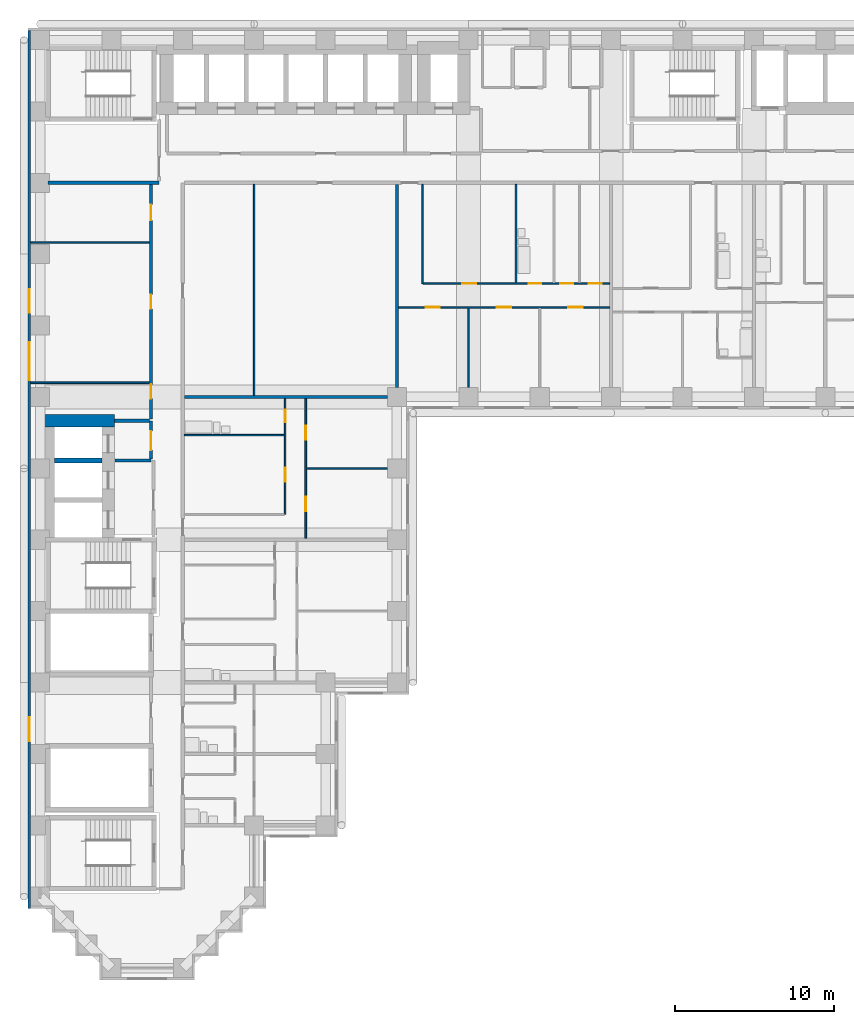
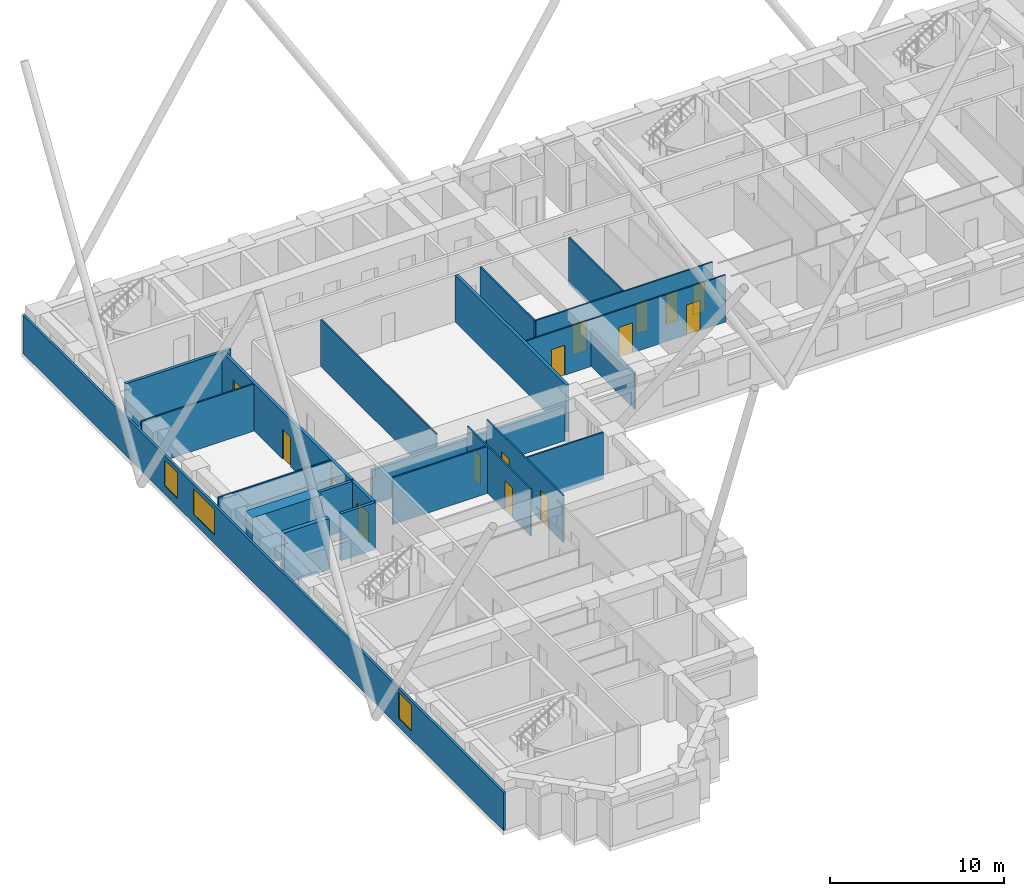
# One storey, part 5 of 13: 22 walls, 15 doors, 3 windows, 18 openings.
"""IFC4 building model written with IfcOpenShell, lengths in metres."""

from ifc_helpers import new_model, si_unit, direction, frame, frame_2d, origin, place, context, subcontext, project, spatial, rectangle, extrude, material, layer, layer_set, type_object, element, fill, save


model = new_model("IFC4")

# Units and contexts
model_context = context("Model", 3, precision=1e-05, world=origin(), true_north=direction((0.0, 1.0)))
body_context = subcontext(model_context, "Body", "Model", "MODEL_VIEW")
ifc_project = project(units=[si_unit("LENGTHUNIT", "METRE"), si_unit("AREAUNIT", "SQUARE_METRE"), si_unit("VOLUMEUNIT", "CUBIC_METRE"), si_unit("PLANEANGLEUNIT", "RADIAN"), si_unit("MASSUNIT", "GRAM", prefix="KILO")], contexts=[model_context])

# Site, building, storey
site_placement = place(None, origin())
site = spatial("IfcSite", under=ifc_project, at=site_placement, CompositionType="ELEMENT")
building_placement = place(site_placement, origin())
building = spatial("IfcBuilding", under=site, at=building_placement, Name="Firuza Court", CompositionType="ELEMENT")
storey_placement = place(building_placement, frame((0.0, 0.0, 72.199951171875)))
storey = spatial("IfcBuildingStorey", under=building, at=storey_placement, Name="L17", CompositionType="ELEMENT", Elevation=72.199951171875)

# Walls
ifc_material_1 = material(Name="Moisture-resistant gypsum board partition")
ifc_layer_1 = layer(ifc_material_1, 0.10009765625)
ifc_layer_set_1 = layer_set([ifc_layer_1], Name="Moisture-resistant gypsum board partition")
wall_type_1 = type_object("IfcWallType", Name="Bathroom partition 100", PredefinedType="PLUMBINGWALL", material=ifc_layer_set_1)
wall_1_placement = place(storey_placement, frame((9.10009765625, 33.60009765625, 0.0), z_axis=(0.0, 0.0, 1.0), x_axis=(1.0, 0.0, 0.0)))
element("IfcWall", 1, at=wall_1_placement, inside=storey, type_object=wall_type_1, Name="Bathroom partition 100 L17", PredefinedType="PLUMBINGWALL", context=body_context, shape_type="SweptSolid", body=[
    extrude(rectangle(XDim=6.2998046875, YDim=0.10009765625, at=frame_2d((3.14990234375, 0.0))), origin(), (0.0, 0.0, 1.0), 3.300048828125),
])
wall_2_placement = place(storey_placement, frame((30.0, 43.199951171875, 0.0), z_axis=(0.0, 0.0, 1.0), x_axis=(0.0, 1.0, 0.0)))
element("IfcWall", 2, at=wall_2_placement, inside=storey, type_object=wall_type_1, Name="Bathroom partition 100 L17", PredefinedType="PLUMBINGWALL", context=body_context, shape_type="SweptSolid", body=[
    extrude(rectangle(XDim=6.199951171875, YDim=0.10009765625, at=frame_2d((3.10009765625, 0.0))), origin(), (0.0, 0.0, 1.0), 3.300048828125),
])
ifc_material_2 = material(Name="Concrete C60/75", Category="concrete")
ifc_layer_2 = layer(ifc_material_2, 0.300048828125)
ifc_layer_set_2 = layer_set([ifc_layer_2], Name="Concrete C60/75")
wall_type_2 = type_object("IfcWallType", Name="Core wall 300 C60/75", PredefinedType="SHEAR", material=ifc_layer_set_2)
wall_3_placement = place(storey_placement, frame((0.89990234375, 32.0, -0.300048828125), z_axis=(0.0, 0.0, 1.0), x_axis=(1.0, 0.0, 0.0)))
element("IfcWall", 3, at=wall_3_placement, inside=storey, type_object=wall_type_2, Name="Core wall lift shaft L17", PredefinedType="SHEAR", context=body_context, shape_type="SweptSolid", body=[
    extrude(rectangle(XDim=3.0, YDim=0.300048828125, at=frame_2d((1.5, 0.0))), origin(), (0.0, 0.0, 1.0), 3.60009765625),
])
ifc_layer_3 = layer(ifc_material_2, 0.800048828125)
ifc_layer_set_3 = layer_set([ifc_layer_3], Name="Concrete C60/75")
wall_type_3 = type_object("IfcWallType", Name="Core wall 800 C60/75", PredefinedType="SHEAR", material=ifc_layer_set_3)
wall_4_placement = place(storey_placement, frame((0.10009765625, 34.5, -0.300048828125), z_axis=(0.0, 0.0, 1.0), x_axis=(1.0, 0.0, 0.0)))
element("IfcWall", 4, at=wall_4_placement, inside=storey, type_object=wall_type_3, Name="Core wall lift shaft L17", PredefinedType="SHEAR", context=body_context, shape_type="SweptSolid", body=[
    extrude(rectangle(XDim=4.599853515625, YDim=0.800048828125, at=frame_2d((2.2998046875, 0.0))), origin(), (0.0, 0.0, 1.0), 3.60009765625),
])

# Wall, openings, doors
ifc_material_3 = material(Name="Blockwork, plastered both sides", Category="masonry")
ifc_layer_4 = layer(ifc_material_3, 0.199951171875)
ifc_layer_set_4 = layer_set([ifc_layer_4], Name="Blockwork, plastered both sides")
wall_type_4 = type_object("IfcWallType", Name="Corridor wall 200", PredefinedType="PARTITIONING", material=ifc_layer_set_4)
wall_5_placement = place(storey_placement, frame((7.0, 34.60009765625, 0.0), z_axis=(0.0, 0.0, 1.0), x_axis=(0.0, 1.0, 0.0)))
wall_5 = element("IfcWall", 5, at=wall_5_placement, inside=storey, type_object=wall_type_4, Name="Corridor wall 200 L17", PredefinedType="PARTITIONING", context=body_context, shape_type="SweptSolid", body=[
    extrude(rectangle(XDim=14.7998046875, YDim=0.199951171875, at=frame_2d((7.39990234375, 0.0))), origin(), (0.0, 0.0, 1.0), 3.300048828125),
])
opening_1_placement = place(wall_5_placement, frame((1.300048828125, 0.0, 0.0)))
opening_1 = element("IfcOpeningElement", 6, at=opening_1_placement, cuts=wall_5, Name="Opening D17041", PredefinedType="OPENING", context=body_context, shape_type="SweptSolid", body=[
    extrude(rectangle(XDim=0.89990234375, YDim=2.10009765625, at=frame_2d((0.449951171875, 1.050048828125))), frame((0.0, 0.11181640625, 0.0), z_axis=(0.0, -1.0, 0.0), x_axis=(1.0, 0.0, 0.0)), (0.0, 0.0, 1.0), 0.223876953125),
])
opening_2_placement = place(wall_5_placement, frame((6.949951171875, 0.0, 0.0)))
opening_2 = element("IfcOpeningElement", 7, at=opening_2_placement, cuts=wall_5, Name="Opening D17042", PredefinedType="OPENING", context=body_context, shape_type="SweptSolid", body=[
    extrude(rectangle(XDim=0.89990234375, YDim=2.10009765625, at=frame_2d((0.449951171875, 1.050048828125))), frame((0.0, 0.11181640625, 0.0), z_axis=(0.0, -1.0, 0.0), x_axis=(1.0, 0.0, 0.0)), (0.0, 0.0, 1.0), 0.223876953125),
])
opening_3_placement = place(wall_5_placement, frame((12.52490234375, 0.0, 0.0)))
opening_3 = element("IfcOpeningElement", 8, at=opening_3_placement, cuts=wall_5, Name="Opening D17043", PredefinedType="OPENING", context=body_context, shape_type="SweptSolid", body=[
    extrude(rectangle(XDim=1.0, YDim=2.10009765625, at=frame_2d((0.5, 1.050048828125))), frame((0.0, 0.11181640625, 0.0), z_axis=(0.0, -1.0, 0.0), x_axis=(1.0, 0.0, 0.0)), (0.0, 0.0, 1.0), 0.223876953125),
])
ifc_material_4 = material(Name="Timber door leaf in hardwood frame", Category="wood")
door_type_1 = type_object("IfcDoorType", Name="Room door 900 EI 30", OperationType="SINGLE_SWING_LEFT", PredefinedType="DOOR", material=ifc_material_4)
door_1_placement = place(opening_1_placement, origin())
door_1 = element("IfcDoor", 9, at=door_1_placement, inside=storey, type_object=door_type_1, Name="Meeting room door", OperationType="SINGLE_SWING_LEFT", OverallHeight=2.10009765625, OverallWidth=0.89990234375, PredefinedType="DOOR", context=body_context, shape_type="SweptSolid", body=[
    extrude(rectangle(XDim=0.89990234375, YDim=2.10009765625, at=frame_2d((0.449951171875, 1.050048828125))), frame((0.0, 0.02490234375, 0.0), z_axis=(0.0, -1.0, 0.0), x_axis=(1.0, 0.0, 0.0)), (0.0, 0.0, 1.0), 0.050048828125),
])
fill(opening_1, door_1)
door_2_placement = place(opening_2_placement, origin())
door_2 = element("IfcDoor", 10, at=door_2_placement, inside=storey, type_object=door_type_1, Name="Meeting room door", OperationType="SINGLE_SWING_LEFT", OverallHeight=2.10009765625, OverallWidth=0.89990234375, PredefinedType="DOOR", context=body_context, shape_type="SweptSolid", body=[
    extrude(rectangle(XDim=0.89990234375, YDim=2.10009765625, at=frame_2d((0.449951171875, 1.050048828125))), frame((0.0, 0.02490234375, 0.0), z_axis=(0.0, -1.0, 0.0), x_axis=(1.0, 0.0, 0.0)), (0.0, 0.0, 1.0), 0.050048828125),
])
fill(opening_2, door_2)
ifc_material_5 = material(Name="Timber door leaf in hardwood frame", Category="wood")
door_type_2 = type_object("IfcDoorType", Name="Store door 1000", OperationType="SINGLE_SWING_LEFT", PredefinedType="DOOR", material=ifc_material_5)
door_3_placement = place(opening_3_placement, origin())
door_3 = element("IfcDoor", 11, at=door_3_placement, inside=storey, type_object=door_type_2, Name="Comms room door", OperationType="SINGLE_SWING_LEFT", OverallHeight=2.10009765625, OverallWidth=1.0, PredefinedType="DOOR", context=body_context, shape_type="SweptSolid", body=[
    extrude(rectangle(XDim=1.0, YDim=2.10009765625, at=frame_2d((0.5, 1.050048828125))), frame((0.0, 0.02490234375, 0.0), z_axis=(0.0, -1.0, 0.0), x_axis=(1.0, 0.0, 0.0)), (0.0, 0.0, 1.0), 0.050048828125),
])
fill(opening_3, door_3)

ifc_material_6 = material(Name="Timber stud partition, plasterboard both sides", Category="wood")
ifc_layer_5 = layer(ifc_material_6, 0.10009765625)
ifc_layer_set_5 = layer_set([ifc_layer_5], Name="Timber stud partition, plasterboard both sides")
wall_type_5 = type_object("IfcWallType", Name="Partition wall 100", PredefinedType="PARTITIONING", material=ifc_layer_set_5)
wall_6_placement = place(storey_placement, frame((16.75, 27.10009765625, 0.0), z_axis=(0.0, 0.0, 1.0), x_axis=(0.0, 1.0, 0.0)))
wall_6 = element("IfcWall", 12, at=wall_6_placement, inside=storey, type_object=wall_type_5, Name="Partition wall 100 L17", PredefinedType="PARTITIONING", context=body_context, shape_type="SweptSolid", body=[
    extrude(rectangle(XDim=8.7998046875, YDim=0.10009765625, at=frame_2d((4.39990234375, 0.0))), origin(), (0.0, 0.0, 1.0), 3.300048828125),
])
opening_4_placement = place(wall_6_placement, frame((1.699951171875, 0.0, 0.0)))
opening_4 = element("IfcOpeningElement", 13, at=opening_4_placement, cuts=wall_6, Name="Opening D17037", PredefinedType="OPENING", context=body_context, shape_type="SweptSolid", body=[
    extrude(rectangle(XDim=0.89990234375, YDim=2.10009765625, at=frame_2d((0.449951171875, 1.050048828125))), frame((0.0, 0.06201171875, 0.0), z_axis=(0.0, -1.0, 0.0), x_axis=(1.0, 0.0, 0.0)), (0.0, 0.0, 1.0), 0.1240234375),
])
opening_5_placement = place(wall_6_placement, frame((6.199951171875, 0.0, 0.0)))
opening_5 = element("IfcOpeningElement", 14, at=opening_5_placement, cuts=wall_6, Name="Opening D17038", PredefinedType="OPENING", context=body_context, shape_type="SweptSolid", body=[
    extrude(rectangle(XDim=0.89990234375, YDim=2.10009765625, at=frame_2d((0.449951171875, 1.050048828125))), frame((0.0, 0.06201171875, 0.0), z_axis=(0.0, -1.0, 0.0), x_axis=(1.0, 0.0, 0.0)), (0.0, 0.0, 1.0), 0.1240234375),
])
ifc_material_7 = material(Name="Timber door leaf in hardwood frame", Category="wood")
door_type_3 = type_object("IfcDoorType", Name="Room door 900", OperationType="SINGLE_SWING_LEFT", PredefinedType="DOOR", material=ifc_material_7)
door_4_placement = place(opening_4_placement, frame((0.89990234375, 0.0, 0.0), z_axis=(0.0, 0.0, 1.0), x_axis=(-1.0, 0.0, 0.0)))
door_4 = element("IfcDoor", 15, at=door_4_placement, inside=storey, type_object=door_type_3, Name="Bedroom door", OperationType="SINGLE_SWING_RIGHT", OverallHeight=2.10009765625, OverallWidth=0.89990234375, PredefinedType="DOOR", context=body_context, shape_type="SweptSolid", body=[
    extrude(rectangle(XDim=0.89990234375, YDim=2.10009765625, at=frame_2d((0.449951171875, 1.050048828125))), frame((0.0, 0.02490234375, 0.0), z_axis=(0.0, -1.0, 0.0), x_axis=(1.0, 0.0, 0.0)), (0.0, 0.0, 1.0), 0.050048828125),
])
fill(opening_4, door_4)
door_5_placement = place(opening_5_placement, frame((0.89990234375, 0.0, 0.0), z_axis=(0.0, 0.0, 1.0), x_axis=(-1.0, 0.0, 0.0)))
door_5 = element("IfcDoor", 16, at=door_5_placement, inside=storey, type_object=door_type_3, Name="Living room door", OperationType="SINGLE_SWING_RIGHT", OverallHeight=2.10009765625, OverallWidth=0.89990234375, PredefinedType="DOOR", context=body_context, shape_type="SweptSolid", body=[
    extrude(rectangle(XDim=0.89990234375, YDim=2.10009765625, at=frame_2d((0.449951171875, 1.050048828125))), frame((0.0, 0.02490234375, 0.0), z_axis=(0.0, -1.0, 0.0), x_axis=(1.0, 0.0, 0.0)), (0.0, 0.0, 1.0), 0.050048828125),
])
fill(opening_5, door_5)

wall_7_placement = place(storey_placement, frame((15.449951171875, 28.60009765625, 0.0), z_axis=(0.0, 0.0, 1.0), x_axis=(0.0, 1.0, 0.0)))
wall_7 = element("IfcWall", 17, at=wall_7_placement, inside=storey, type_object=wall_type_5, Name="Partition wall 100 L17", PredefinedType="PARTITIONING", context=body_context, shape_type="SweptSolid", body=[
    extrude(rectangle(XDim=7.2998046875, YDim=0.10009765625, at=frame_2d((3.64990234375, 0.0))), origin(), (0.0, 0.0, 1.0), 3.300048828125),
])
opening_6_placement = place(wall_7_placement, frame((5.800048828125, 0.0, 0.0)))
opening_6 = element("IfcOpeningElement", 18, at=opening_6_placement, cuts=wall_7, Name="Opening D17039", PredefinedType="OPENING", context=body_context, shape_type="SweptSolid", body=[
    extrude(rectangle(XDim=0.800048828125, YDim=2.10009765625, at=frame_2d((0.39990234375, 1.050048828125))), frame((0.0, 0.06201171875, 0.0), z_axis=(0.0, -1.0, 0.0), x_axis=(1.0, 0.0, 0.0)), (0.0, 0.0, 1.0), 0.1240234375),
])
opening_7_placement = place(wall_7_placement, frame((2.050048828125, 0.0, 0.0)))
opening_7 = element("IfcOpeningElement", 19, at=opening_7_placement, cuts=wall_7, Name="Opening D17040", PredefinedType="OPENING", context=body_context, shape_type="SweptSolid", body=[
    extrude(rectangle(XDim=0.89990234375, YDim=2.10009765625, at=frame_2d((0.449951171875, 1.050048828125))), frame((0.0, 0.06201171875, 0.0), z_axis=(0.0, -1.0, 0.0), x_axis=(1.0, 0.0, 0.0)), (0.0, 0.0, 1.0), 0.1240234375),
])
ifc_material_8 = material(Name="Timber door leaf in hardwood frame", Category="wood")
door_type_4 = type_object("IfcDoorType", Name="Bathroom door 800", OperationType="SINGLE_SWING_LEFT", PredefinedType="DOOR", material=ifc_material_8)
door_6_placement = place(opening_6_placement, origin())
door_6 = element("IfcDoor", 20, at=door_6_placement, inside=storey, type_object=door_type_4, Name="Bathroom door", OperationType="SINGLE_SWING_LEFT", OverallHeight=2.10009765625, OverallWidth=0.800048828125, PredefinedType="DOOR", context=body_context, shape_type="SweptSolid", body=[
    extrude(rectangle(XDim=0.800048828125, YDim=2.10009765625, at=frame_2d((0.39990234375, 1.050048828125))), frame((0.0, 0.02490234375, 0.0), z_axis=(0.0, -1.0, 0.0), x_axis=(1.0, 0.0, 0.0)), (0.0, 0.0, 1.0), 0.050048828125),
])
fill(opening_6, door_6)
door_7_placement = place(opening_7_placement, origin())
door_7 = element("IfcDoor", 21, at=door_7_placement, inside=storey, type_object=door_type_3, Name="Kitchen door", OperationType="SINGLE_SWING_LEFT", OverallHeight=2.10009765625, OverallWidth=0.89990234375, PredefinedType="DOOR", context=body_context, shape_type="SweptSolid", body=[
    extrude(rectangle(XDim=0.89990234375, YDim=2.10009765625, at=frame_2d((0.449951171875, 1.050048828125))), frame((0.0, 0.02490234375, 0.0), z_axis=(0.0, -1.0, 0.0), x_axis=(1.0, 0.0, 0.0)), (0.0, 0.0, 1.0), 0.050048828125),
])
fill(opening_7, door_7)

# Walls
wall_8_placement = place(storey_placement, frame((16.800048828125, 31.5, 0.0), z_axis=(0.0, 0.0, 1.0), x_axis=(1.0, 0.0, 0.0)))
element("IfcWall", 22, at=wall_8_placement, inside=storey, type_object=wall_type_5, Name="Partition wall 100 L17", PredefinedType="PARTITIONING", context=body_context, shape_type="SweptSolid", body=[
    extrude(rectangle(XDim=5.099853515625, YDim=0.10009765625, at=frame_2d((2.5498046875, 0.0))), origin(), (0.0, 0.0, 1.0), 3.300048828125),
])
wall_9_placement = place(storey_placement, frame((13.5, 36.10009765625, 0.0), z_axis=(0.0, 0.0, 1.0), x_axis=(0.0, 1.0, 0.0)))
element("IfcWall", 23, at=wall_9_placement, inside=storey, type_object=wall_type_5, Name="Partition wall 100 L17", PredefinedType="PARTITIONING", context=body_context, shape_type="SweptSolid", body=[
    extrude(rectangle(XDim=13.2998046875, YDim=0.10009765625, at=frame_2d((6.64990234375, 0.0))), origin(), (0.0, 0.0, 1.0), 3.300048828125),
])
wall_10_placement = place(storey_placement, frame((27.0, 36.60009765625, 0.0), z_axis=(0.0, 0.0, 1.0), x_axis=(0.0, 1.0, 0.0)))
element("IfcWall", 24, at=wall_10_placement, inside=storey, type_object=wall_type_5, Name="Partition wall 100 L17", PredefinedType="PARTITIONING", context=body_context, shape_type="SweptSolid", body=[
    extrude(rectangle(XDim=5.0, YDim=0.10009765625, at=frame_2d((2.5, 0.0))), origin(), (0.0, 0.0, 1.0), 2.60009765625),
])
wall_11_placement = place(storey_placement, frame((-0.60009765625, 36.89990234375, 0.0), z_axis=(0.0, 0.0, 1.0), x_axis=(1.0, 0.0, 0.0)))
element("IfcWall", 25, at=wall_11_placement, inside=storey, type_object=wall_type_5, Name="Partition wall 100 L17", PredefinedType="PARTITIONING", context=body_context, shape_type="SweptSolid", body=[
    extrude(rectangle(XDim=7.5, YDim=0.10009765625, at=frame_2d((3.75, 0.0))), origin(), (0.0, 0.0, 1.0), 3.300048828125),
])

# Wall, openings, doors
wall_12_placement = place(storey_placement, frame((22.60009765625, 41.64990234375, 0.0), z_axis=(0.0, 0.0, 1.0), x_axis=(1.0, 0.0, 0.0)))
wall_12 = element("IfcWall", 26, at=wall_12_placement, inside=storey, type_object=wall_type_5, Name="Partition wall 100 L17", PredefinedType="PARTITIONING", context=body_context, shape_type="SweptSolid", body=[
    extrude(rectangle(XDim=13.2998046875, YDim=0.10009765625, at=frame_2d((6.64990234375, 0.0))), origin(), (0.0, 0.0, 1.0), 3.300048828125),
])
opening_8_placement = place(wall_12_placement, frame((1.699951171875, 0.0, 0.0)))
opening_8 = element("IfcOpeningElement", 27, at=opening_8_placement, cuts=wall_12, Name="Opening D17053", PredefinedType="OPENING", context=body_context, shape_type="SweptSolid", body=[
    extrude(rectangle(XDim=0.89990234375, YDim=2.10009765625, at=frame_2d((0.449951171875, 1.050048828125))), frame((0.0, 0.06201171875, 0.0), z_axis=(0.0, -1.0, 0.0), x_axis=(1.0, 0.0, 0.0)), (0.0, 0.0, 1.0), 0.1240234375),
])
opening_9_placement = place(wall_12_placement, frame((6.199951171875, 0.0, 0.0)))
opening_9 = element("IfcOpeningElement", 28, at=opening_9_placement, cuts=wall_12, Name="Opening D17054", PredefinedType="OPENING", context=body_context, shape_type="SweptSolid", body=[
    extrude(rectangle(XDim=0.89990234375, YDim=2.10009765625, at=frame_2d((0.449951171875, 1.050048828125))), frame((0.0, 0.06201171875, 0.0), z_axis=(0.0, -1.0, 0.0), x_axis=(1.0, 0.0, 0.0)), (0.0, 0.0, 1.0), 0.1240234375),
])
opening_10_placement = place(wall_12_placement, frame((10.699951171875, 0.0, 0.0)))
opening_10 = element("IfcOpeningElement", 29, at=opening_10_placement, cuts=wall_12, Name="Opening D17055", PredefinedType="OPENING", context=body_context, shape_type="SweptSolid", body=[
    extrude(rectangle(XDim=0.89990234375, YDim=2.10009765625, at=frame_2d((0.449951171875, 1.050048828125))), frame((0.0, 0.06201171875, 0.0), z_axis=(0.0, -1.0, 0.0), x_axis=(1.0, 0.0, 0.0)), (0.0, 0.0, 1.0), 0.1240234375),
])
door_8_placement = place(opening_8_placement, frame((0.89990234375, 0.0, 0.0), z_axis=(0.0, 0.0, 1.0), x_axis=(-1.0, 0.0, 0.0)))
door_8 = element("IfcDoor", 30, at=door_8_placement, inside=storey, type_object=door_type_3, Name="Living room door", OperationType="SINGLE_SWING_RIGHT", OverallHeight=2.10009765625, OverallWidth=0.89990234375, PredefinedType="DOOR", context=body_context, shape_type="SweptSolid", body=[
    extrude(rectangle(XDim=0.89990234375, YDim=2.10009765625, at=frame_2d((0.449951171875, 1.050048828125))), frame((0.0, 0.02490234375, 0.0), z_axis=(0.0, -1.0, 0.0), x_axis=(1.0, 0.0, 0.0)), (0.0, 0.0, 1.0), 0.050048828125),
])
fill(opening_8, door_8)
door_9_placement = place(opening_9_placement, frame((0.89990234375, 0.0, 0.0), z_axis=(0.0, 0.0, 1.0), x_axis=(-1.0, 0.0, 0.0)))
door_9 = element("IfcDoor", 31, at=door_9_placement, inside=storey, type_object=door_type_3, Name="Bedroom door", OperationType="SINGLE_SWING_RIGHT", OverallHeight=2.10009765625, OverallWidth=0.89990234375, PredefinedType="DOOR", context=body_context, shape_type="SweptSolid", body=[
    extrude(rectangle(XDim=0.89990234375, YDim=2.10009765625, at=frame_2d((0.449951171875, 1.050048828125))), frame((0.0, 0.02490234375, 0.0), z_axis=(0.0, -1.0, 0.0), x_axis=(1.0, 0.0, 0.0)), (0.0, 0.0, 1.0), 0.050048828125),
])
fill(opening_9, door_9)
door_10_placement = place(opening_10_placement, frame((0.89990234375, 0.0, 0.0), z_axis=(0.0, 0.0, 1.0), x_axis=(-1.0, 0.0, 0.0)))
door_10 = element("IfcDoor", 32, at=door_10_placement, inside=storey, type_object=door_type_3, Name="Bedroom door", OperationType="SINGLE_SWING_RIGHT", OverallHeight=2.10009765625, OverallWidth=0.89990234375, PredefinedType="DOOR", context=body_context, shape_type="SweptSolid", body=[
    extrude(rectangle(XDim=0.89990234375, YDim=2.10009765625, at=frame_2d((0.449951171875, 1.050048828125))), frame((0.0, 0.02490234375, 0.0), z_axis=(0.0, -1.0, 0.0), x_axis=(1.0, 0.0, 0.0)), (0.0, 0.0, 1.0), 0.050048828125),
])
fill(opening_10, door_10)

# Wall
wall_13_placement = place(storey_placement, frame((24.10009765625, 43.14990234375, 0.0), z_axis=(0.0, 0.0, 1.0), x_axis=(0.0, 1.0, 0.0)))
element("IfcWall", 33, at=wall_13_placement, inside=storey, type_object=wall_type_5, Name="Partition wall 100 L17", PredefinedType="PARTITIONING", context=body_context, shape_type="SweptSolid", body=[
    extrude(rectangle(XDim=6.25, YDim=0.10009765625, at=frame_2d((3.125, 0.0))), origin(), (0.0, 0.0, 1.0), 3.300048828125),
])

# Wall, openings, doors
wall_14_placement = place(storey_placement, frame((24.14990234375, 43.14990234375, 0.0), z_axis=(0.0, 0.0, 1.0), x_axis=(1.0, 0.0, 0.0)))
wall_14 = element("IfcWall", 34, at=wall_14_placement, inside=storey, type_object=wall_type_5, Name="Partition wall 100 L17", PredefinedType="PARTITIONING", context=body_context, shape_type="SweptSolid", body=[
    extrude(rectangle(XDim=11.75, YDim=0.10009765625, at=frame_2d((5.875, 0.0))), origin(), (0.0, 0.0, 1.0), 3.300048828125),
])
opening_11_placement = place(wall_14_placement, frame((6.64990234375, 0.0, 0.0)))
opening_11 = element("IfcOpeningElement", 35, at=opening_11_placement, cuts=wall_14, Name="Opening D17061", PredefinedType="OPENING", context=body_context, shape_type="SweptSolid", body=[
    extrude(rectangle(XDim=0.800048828125, YDim=2.10009765625, at=frame_2d((0.39990234375, 1.050048828125))), frame((0.0, 0.06201171875, 0.0), z_axis=(0.0, -1.0, 0.0), x_axis=(1.0, 0.0, 0.0)), (0.0, 0.0, 1.0), 0.1240234375),
])
opening_12_placement = place(wall_14_placement, frame((2.449951171875, 0.0, 0.0)))
opening_12 = element("IfcOpeningElement", 36, at=opening_12_placement, cuts=wall_14, Name="Opening D17062", PredefinedType="OPENING", context=body_context, shape_type="SweptSolid", body=[
    extrude(rectangle(XDim=0.89990234375, YDim=2.10009765625, at=frame_2d((0.449951171875, 1.050048828125))), frame((0.0, 0.06201171875, 0.0), z_axis=(0.0, -1.0, 0.0), x_axis=(1.0, 0.0, 0.0)), (0.0, 0.0, 1.0), 0.1240234375),
])
opening_13_placement = place(wall_14_placement, frame((8.64990234375, 0.0, 0.0)))
opening_13 = element("IfcOpeningElement", 37, at=opening_13_placement, cuts=wall_14, Name="Opening D17063", PredefinedType="OPENING", context=body_context, shape_type="SweptSolid", body=[
    extrude(rectangle(XDim=0.800048828125, YDim=2.10009765625, at=frame_2d((0.39990234375, 1.050048828125))), frame((0.0, 0.06201171875, 0.0), z_axis=(0.0, -1.0, 0.0), x_axis=(1.0, 0.0, 0.0)), (0.0, 0.0, 1.0), 0.1240234375),
])
opening_14_placement = place(wall_14_placement, frame((10.449951171875, 0.0, 0.0)))
opening_14 = element("IfcOpeningElement", 38, at=opening_14_placement, cuts=wall_14, Name="Opening D17064", PredefinedType="OPENING", context=body_context, shape_type="SweptSolid", body=[
    extrude(rectangle(XDim=0.800048828125, YDim=2.10009765625, at=frame_2d((0.39990234375, 1.050048828125))), frame((0.0, 0.06201171875, 0.0), z_axis=(0.0, -1.0, 0.0), x_axis=(1.0, 0.0, 0.0)), (0.0, 0.0, 1.0), 0.1240234375),
])
door_11_placement = place(opening_11_placement, origin())
door_11 = element("IfcDoor", 39, at=door_11_placement, inside=storey, type_object=door_type_4, Name="Bathroom door", OperationType="SINGLE_SWING_LEFT", OverallHeight=2.10009765625, OverallWidth=0.800048828125, PredefinedType="DOOR", context=body_context, shape_type="SweptSolid", body=[
    extrude(rectangle(XDim=0.800048828125, YDim=2.10009765625, at=frame_2d((0.39990234375, 1.050048828125))), frame((0.0, 0.02490234375, 0.0), z_axis=(0.0, -1.0, 0.0), x_axis=(1.0, 0.0, 0.0)), (0.0, 0.0, 1.0), 0.050048828125),
])
fill(opening_11, door_11)
ifc_material_9 = material(Name="Timber door leaf in hardwood frame", Category="wood")
door_type_5 = type_object("IfcDoorType", Name="Room door 800", OperationType="SINGLE_SWING_LEFT", PredefinedType="DOOR", material=ifc_material_9)
door_12_placement = place(opening_13_placement, origin())
door_12 = element("IfcDoor", 40, at=door_12_placement, inside=storey, type_object=door_type_5, Name="Store door", OperationType="SINGLE_SWING_LEFT", OverallHeight=2.10009765625, OverallWidth=0.800048828125, PredefinedType="DOOR", context=body_context, shape_type="SweptSolid", body=[
    extrude(rectangle(XDim=0.800048828125, YDim=2.10009765625, at=frame_2d((0.39990234375, 1.050048828125))), frame((0.0, 0.02490234375, 0.0), z_axis=(0.0, -1.0, 0.0), x_axis=(1.0, 0.0, 0.0)), (0.0, 0.0, 1.0), 0.050048828125),
])
fill(opening_13, door_12)
door_13_placement = place(opening_14_placement, origin())
door_13 = element("IfcDoor", 41, at=door_13_placement, inside=storey, type_object=door_type_5, Name="Utility room door", OperationType="SINGLE_SWING_LEFT", OverallHeight=2.10009765625, OverallWidth=0.800048828125, PredefinedType="DOOR", context=body_context, shape_type="SweptSolid", body=[
    extrude(rectangle(XDim=0.800048828125, YDim=2.10009765625, at=frame_2d((0.39990234375, 1.050048828125))), frame((0.0, 0.02490234375, 0.0), z_axis=(0.0, -1.0, 0.0), x_axis=(1.0, 0.0, 0.0)), (0.0, 0.0, 1.0), 0.050048828125),
])
fill(opening_14, door_13)
door_14_placement = place(opening_12_placement, origin())
door_14 = element("IfcDoor", 42, at=door_14_placement, inside=storey, type_object=door_type_3, Name="Kitchen door", OperationType="SINGLE_SWING_LEFT", OverallHeight=2.10009765625, OverallWidth=0.89990234375, PredefinedType="DOOR", context=body_context, shape_type="SweptSolid", body=[
    extrude(rectangle(XDim=0.89990234375, YDim=2.10009765625, at=frame_2d((0.449951171875, 1.050048828125))), frame((0.0, 0.02490234375, 0.0), z_axis=(0.0, -1.0, 0.0), x_axis=(1.0, 0.0, 0.0)), (0.0, 0.0, 1.0), 0.050048828125),
])
fill(opening_12, door_14)

# Walls
wall_15_placement = place(storey_placement, frame((-0.60009765625, 45.75, 0.0), z_axis=(0.0, 0.0, 1.0), x_axis=(1.0, 0.0, 0.0)))
element("IfcWall", 43, at=wall_15_placement, inside=storey, type_object=wall_type_5, Name="Partition wall 100 L17", PredefinedType="PARTITIONING", context=body_context, shape_type="SweptSolid", body=[
    extrude(rectangle(XDim=7.5, YDim=0.10009765625, at=frame_2d((3.75, 0.0))), origin(), (0.0, 0.0, 1.0), 3.300048828125),
])
ifc_layer_6 = layer(ifc_material_3, 0.199951171875)
ifc_layer_set_6 = layer_set([ifc_layer_6], Name="Blockwork, plastered both sides")
wall_type_6 = type_object("IfcWallType", Name="Party wall 200", PredefinedType="PARTITIONING", material=ifc_layer_set_6)
wall_16_placement = place(storey_placement, frame((9.10009765625, 36.0, 0.0), z_axis=(0.0, 0.0, 1.0), x_axis=(1.0, 0.0, 0.0)))
element("IfcWall", 44, at=wall_16_placement, inside=storey, type_object=wall_type_6, Name="Party wall 200 L17", PredefinedType="PARTITIONING", context=body_context, shape_type="SweptSolid", body=[
    extrude(rectangle(XDim=12.7998046875, YDim=0.199951171875, at=frame_2d((6.39990234375, 0.0))), origin(), (0.0, 0.0, 1.0), 2.400146484375),
])
wall_17_placement = place(storey_placement, frame((22.5, 36.60009765625, 0.0), z_axis=(0.0, 0.0, 1.0), x_axis=(0.0, 1.0, 0.0)))
element("IfcWall", 45, at=wall_17_placement, inside=storey, type_object=wall_type_6, Name="Party wall 200 L17", PredefinedType="PARTITIONING", context=body_context, shape_type="SweptSolid", body=[
    extrude(rectangle(XDim=12.7998046875, YDim=0.199951171875, at=frame_2d((6.39990234375, 0.0))), origin(), (0.0, 0.0, 1.0), 3.300048828125),
])

# Wall, openings, windows
ifc_material_10 = material(Name="Ceramic tile", Category="ceramic")
ifc_layer_7 = layer(ifc_material_10, 0.02001953125)
ifc_material_11 = material(Name="Mineral wool insulation", Category="insulation")
ifc_layer_8 = layer(ifc_material_11, 0.050048828125)
ifc_material_12 = material(Name="Concrete C40/50 precast", Category="concrete")
ifc_layer_9 = layer(ifc_material_12, 0.080078125)
ifc_layer_set_7 = layer_set([ifc_layer_7, ifc_layer_8, ifc_layer_9], Name="Concrete C40/50 precast")
wall_type_7 = type_object("IfcWallType", Name="Precast cladding wall with turquoise TILE PANEL face 150", PredefinedType="STANDARD", material=ifc_layer_set_7)
wall_18_placement = place(storey_placement, frame((-0.675048828125, 59.10009765625, 0.0), z_axis=(0.0, 0.0, 1.0), x_axis=(0.0, -1.0, 0.0)))
wall_18 = element("IfcWall", 46, at=wall_18_placement, inside=storey, type_object=wall_type_7, Name="Facade wall L17 W", PredefinedType="STANDARD", context=body_context, shape_type="SweptSolid", body=[
    extrude(rectangle(XDim=55.35009765625, YDim=0.14990234375, at=frame_2d((27.675048828125, 0.0))), origin(), (0.0, 0.0, 1.0), 2.699951171875),
])
opening_15_placement = place(wall_18_placement, frame((16.296630859375, 0.0, 0.60009765625)))
opening_15 = element("IfcOpeningElement", 47, at=opening_15_placement, cuts=wall_18, Name="Opening W2", PredefinedType="OPENING", context=body_context, shape_type="SweptSolid", body=[
    extrude(rectangle(XDim=1.5, YDim=1.800048828125, at=frame_2d((0.75, 0.89990234375))), frame((0.0, 0.0869140625, 0.0), z_axis=(0.0, -1.0, 0.0), x_axis=(1.0, 0.0, 0.0)), (0.0, 0.0, 1.0), 0.173828125),
])
opening_16_placement = place(wall_18_placement, frame((19.64990234375, 0.0, 0.60009765625)))
opening_16 = element("IfcOpeningElement", 48, at=opening_16_placement, cuts=wall_18, Name="Opening W1", PredefinedType="OPENING", context=body_context, shape_type="SweptSolid", body=[
    extrude(rectangle(XDim=2.39990234375, YDim=1.800048828125, at=frame_2d((1.199951171875, 0.89990234375))), frame((0.0, 0.0869140625, 0.0), z_axis=(0.0, -1.0, 0.0), x_axis=(1.0, 0.0, 0.0)), (0.0, 0.0, 1.0), 0.173828125),
])
opening_17_placement = place(wall_18_placement, frame((43.296630859375, 0.0, 0.60009765625)))
opening_17 = element("IfcOpeningElement", 49, at=opening_17_placement, cuts=wall_18, Name="Opening W2", PredefinedType="OPENING", context=body_context, shape_type="SweptSolid", body=[
    extrude(rectangle(XDim=1.5, YDim=1.800048828125, at=frame_2d((0.75, 0.89990234375))), frame((0.0, 0.0869140625, 0.0), z_axis=(0.0, -1.0, 0.0), x_axis=(1.0, 0.0, 0.0)), (0.0, 0.0, 1.0), 0.173828125),
])
ifc_material_13 = material(Name="Aluminium frame, triple clear glazing", Category="aluminium")
window_type_1 = type_object("IfcWindowType", Name="Window W1 2400 x 1800", PartitioningType="SINGLE_PANEL", PredefinedType="WINDOW", material=ifc_material_13)
window_1_placement = place(opening_16_placement, origin())
window_1 = element("IfcWindow", 50, at=window_1_placement, inside=storey, type_object=window_type_1, Name="Window L17", OverallHeight=1.800048828125, OverallWidth=2.39990234375, PartitioningType="SINGLE_PANEL", PredefinedType="WINDOW", context=body_context, shape_type="SweptSolid", body=[
    extrude(rectangle(XDim=2.39990234375, YDim=1.800048828125, at=frame_2d((1.199951171875, 0.89990234375))), frame((0.0, 0.030029296875, 0.0), z_axis=(0.0, -1.0, 0.0), x_axis=(1.0, 0.0, 0.0)), (0.0, 0.0, 1.0), 0.06005859375),
])
fill(opening_16, window_1)
ifc_material_14 = material(Name="Aluminium frame, triple clear glazing", Category="aluminium")
window_type_2 = type_object("IfcWindowType", Name="Window W2 1500 x 1800", PartitioningType="SINGLE_PANEL", PredefinedType="WINDOW", material=ifc_material_14)
window_2_placement = place(opening_15_placement, origin())
window_2 = element("IfcWindow", 51, at=window_2_placement, inside=storey, type_object=window_type_2, Name="Window L17", OverallHeight=1.800048828125, OverallWidth=1.5, PartitioningType="SINGLE_PANEL", PredefinedType="WINDOW", context=body_context, shape_type="SweptSolid", body=[
    extrude(rectangle(XDim=1.5, YDim=1.800048828125, at=frame_2d((0.75, 0.89990234375))), frame((0.0, 0.030029296875, 0.0), z_axis=(0.0, -1.0, 0.0), x_axis=(1.0, 0.0, 0.0)), (0.0, 0.0, 1.0), 0.06005859375),
])
fill(opening_15, window_2)
window_3_placement = place(opening_17_placement, origin())
window_3 = element("IfcWindow", 52, at=window_3_placement, inside=storey, type_object=window_type_2, Name="Window L17", OverallHeight=1.800048828125, OverallWidth=1.5, PartitioningType="SINGLE_PANEL", PredefinedType="WINDOW", context=body_context, shape_type="SweptSolid", body=[
    extrude(rectangle(XDim=1.5, YDim=1.800048828125, at=frame_2d((0.75, 0.89990234375))), frame((0.0, 0.030029296875, 0.0), z_axis=(0.0, -1.0, 0.0), x_axis=(1.0, 0.0, 0.0)), (0.0, 0.0, 1.0), 0.06005859375),
])
fill(opening_17, window_3)

# Wall
ifc_material_15 = material(Name="Blockwork, fire-rated", Category="masonry")
ifc_layer_10 = layer(ifc_material_15, 0.199951171875)
ifc_layer_set_8 = layer_set([ifc_layer_10], Name="Blockwork, fire-rated")
wall_type_8 = type_object("IfcWallType", Name="Shaft wall 200", PredefinedType="PARTITIONING", material=ifc_layer_set_8)
wall_19_placement = place(storey_placement, frame((4.719970703125, 32.0, 0.0), z_axis=(0.0, 0.0, 1.0), x_axis=(1.0, 0.0, 0.0)))
element("IfcWall", 53, at=wall_19_placement, inside=storey, type_object=wall_type_8, Name="Shaft wall 200 L17", PredefinedType="PARTITIONING", context=body_context, shape_type="SweptSolid", body=[
    extrude(rectangle(XDim=2.280029296875, YDim=0.199951171875, at=frame_2d((1.14013671875, 0.0))), origin(), (0.0, 0.0, 1.0), 3.300048828125),
])

# Wall, opening, door
wall_20_placement = place(storey_placement, frame((7.0, 32.10009765625, 0.0), z_axis=(0.0, 0.0, 1.0), x_axis=(0.0, 1.0, 0.0)))
wall_20 = element("IfcWall", 54, at=wall_20_placement, inside=storey, type_object=wall_type_8, Name="Shaft wall 200 L17", PredefinedType="PARTITIONING", context=body_context, shape_type="SweptSolid", body=[
    extrude(rectangle(XDim=2.39990234375, YDim=0.199951171875, at=frame_2d((1.199951171875, 0.0))), origin(), (0.0, 0.0, 1.0), 3.300048828125),
])
opening_18_placement = place(wall_20_placement, frame((0.550048828125, 0.0, 0.0)))
opening_18 = element("IfcOpeningElement", 55, at=opening_18_placement, cuts=wall_20, Name="Opening D17008", PredefinedType="OPENING", context=body_context, shape_type="SweptSolid", body=[
    extrude(rectangle(XDim=1.199951171875, YDim=2.10009765625, at=frame_2d((0.60009765625, 1.050048828125))), frame((0.0, 0.11181640625, 0.0), z_axis=(0.0, -1.0, 0.0), x_axis=(1.0, 0.0, 0.0)), (0.0, 0.0, 1.0), 0.223876953125),
])
ifc_material_16 = material(Name="Timber door leaf in hardwood frame", Category="wood")
door_type_6 = type_object("IfcDoorType", Name="Lobby door 1200", OperationType="SINGLE_SWING_LEFT", PredefinedType="DOOR", material=ifc_material_16)
door_15_placement = place(opening_18_placement, origin())
door_15 = element("IfcDoor", 56, at=door_15_placement, inside=storey, type_object=door_type_6, Name="Lobby door", OperationType="SINGLE_SWING_LEFT", OverallHeight=2.10009765625, OverallWidth=1.199951171875, PredefinedType="DOOR", context=body_context, shape_type="SweptSolid", body=[
    extrude(rectangle(XDim=1.199951171875, YDim=2.10009765625, at=frame_2d((0.60009765625, 1.050048828125))), frame((0.0, 0.02490234375, 0.0), z_axis=(0.0, -1.0, 0.0), x_axis=(1.0, 0.0, 0.0)), (0.0, 0.0, 1.0), 0.050048828125),
])
fill(opening_18, door_15)

# Walls
wall_21_placement = place(storey_placement, frame((4.699951171875, 34.5, 0.0), z_axis=(0.0, 0.0, 1.0), x_axis=(1.0, 0.0, 0.0)))
element("IfcWall", 57, at=wall_21_placement, inside=storey, type_object=wall_type_8, Name="Shaft wall 200 L17", PredefinedType="PARTITIONING", context=body_context, shape_type="SweptSolid", body=[
    extrude(rectangle(XDim=2.199951171875, YDim=0.199951171875, at=frame_2d((1.10009765625, 0.0))), origin(), (0.0, 0.0, 1.0), 3.300048828125),
])
wall_22_placement = place(storey_placement, frame((0.5, 49.5, 0.0), z_axis=(0.0, 0.0, 1.0), x_axis=(1.0, 0.0, 0.0)))
element("IfcWall", 58, at=wall_22_placement, inside=storey, type_object=wall_type_8, Name="Shaft wall 200 L17", PredefinedType="PARTITIONING", context=body_context, shape_type="SweptSolid", body=[
    extrude(rectangle(XDim=7.0, YDim=0.199951171875, at=frame_2d((3.5, 0.0))), origin(), (0.0, 0.0, 1.0), 3.300048828125),
])

save(model, "model.ifc")
